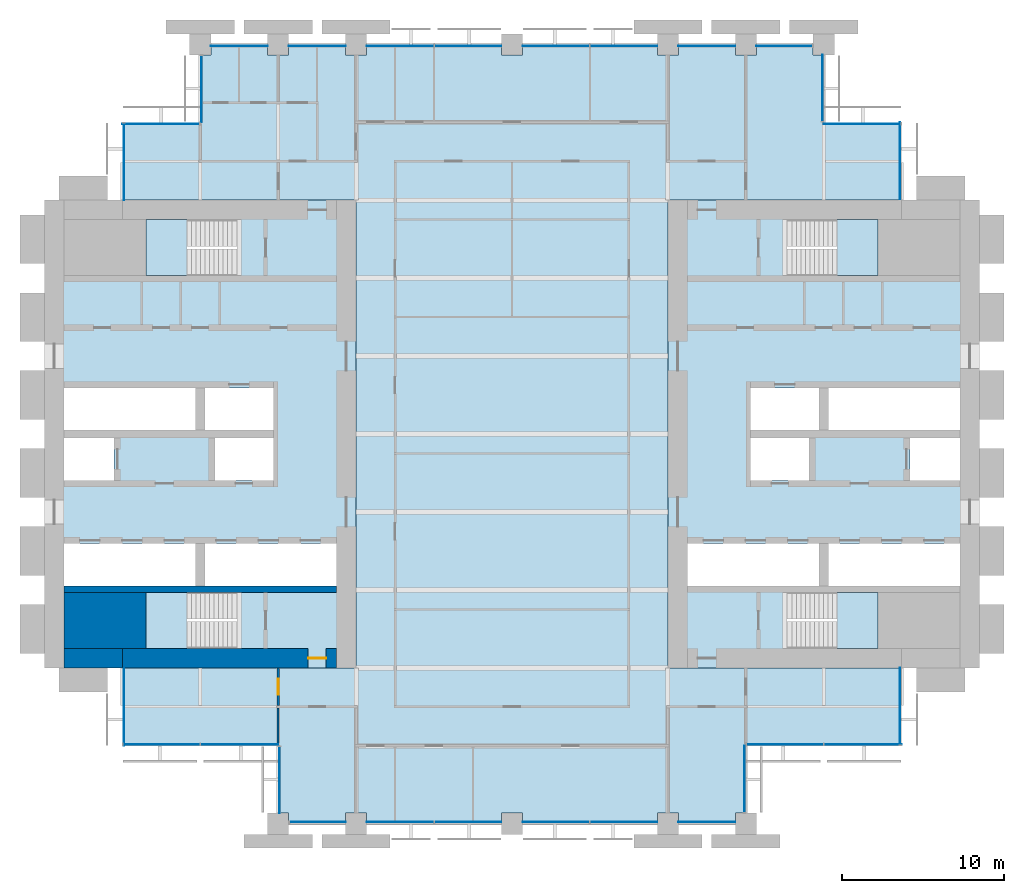
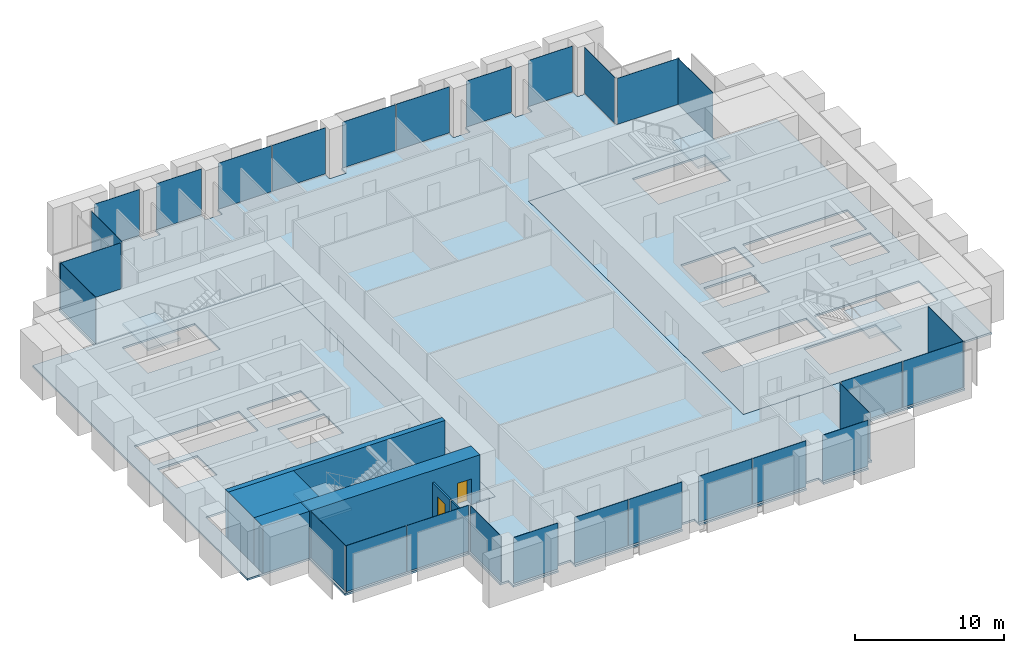
# One storey, part 8 of 14: 28 plates, 7 slabs, 6 walls, 2 doors, 2 openings, 18 elements without a shape of their own.
"""IFC4 building model written with IfcOpenShell, lengths in metres."""

from ifc_helpers import new_model, si_unit, direction, frame, frame_2d, origin, origin_2d, place, context, subcontext, project, spatial, polyline, rectangle, outline, extrude, material, layer, layer_set, type_object, element, fill, aggregate, save


model = new_model("IFC4")

# Units and contexts
model_context = context("Model", 3, precision=1e-05, world=origin(), true_north=direction((0.0, 1.0)))
body_context = subcontext(model_context, "Body", "Model", "MODEL_VIEW")
ifc_project = project(units=[si_unit("LENGTHUNIT", "METRE"), si_unit("AREAUNIT", "SQUARE_METRE"), si_unit("VOLUMEUNIT", "CUBIC_METRE"), si_unit("PLANEANGLEUNIT", "RADIAN"), si_unit("MASSUNIT", "GRAM", prefix="KILO")], contexts=[model_context])

# Site, building, storey
site_placement = place(None, origin())
site = spatial("IfcSite", under=ifc_project, at=site_placement, CompositionType="ELEMENT")
building_placement = place(site_placement, origin())
building = spatial("IfcBuilding", under=site, at=building_placement, Name="Baori Bourse Tower", CompositionType="ELEMENT")
storey_placement = place(building_placement, frame((0.0, 0.0, 67.0)))
storey = spatial("IfcBuildingStorey", under=building, at=storey_placement, Name="L14", CompositionType="ELEMENT", Elevation=67.0)

# Curtain wall, plates
ifc_material_1 = material(Name="Pale anodised aluminium", Category="aluminium")
curtain_wall_type_1 = type_object("IfcCurtainWallType", Name="CW1 Curtain wall", PredefinedType="NOTDEFINED", material=ifc_material_1)
curtain_wall_1_placement = place(storey_placement, origin())
curtain_wall_1 = element("IfcCurtainWall", 1, at=curtain_wall_1_placement, inside=storey, type_object=curtain_wall_type_1, Name="Curtain wall CW1 L14 4", PredefinedType="NOTDEFINED")
ifc_material_2 = material(Name="Clear glass", Category="glass")
ifc_layer_1 = layer(ifc_material_2, 0.033935546875)
ifc_layer_set_1 = layer_set([ifc_layer_1], Name="CW1 Curtain wall panel")
plate_type_1 = type_object("IfcPlateType", Name="CW1 Curtain wall panel", PredefinedType="CURTAIN_PANEL", material=ifc_layer_set_1)
plate_1_placement = place(storey_placement, frame((45.570068359375, 47.89990234375, 0.080078125), z_axis=(0.0, 0.0, 1.0), x_axis=(-1.0, 0.0, 0.0)))
plate_1 = element("IfcPlate", 2, at=plate_1_placement, type_object=plate_type_1, Name="Curtain wall CW1 panel", PredefinedType="CURTAIN_PANEL", context=body_context, shape_type="SweptSolid", body=[
    extrude(rectangle(XDim=3.43994140625, YDim=0.033935546875, at=origin_2d()), origin(), (0.0, 0.0, 1.0), 3.760009765625),
])
plate_2_placement = place(storey_placement, frame((40.800048828125, 47.89990234375, 0.080078125), z_axis=(0.0, 0.0, 1.0), x_axis=(-1.0, 0.0, 0.0)))
plate_2 = element("IfcPlate", 3, at=plate_2_placement, type_object=plate_type_1, Name="Curtain wall CW1 panel", PredefinedType="CURTAIN_PANEL", context=body_context, shape_type="SweptSolid", body=[
    extrude(rectangle(XDim=3.5, YDim=0.033935546875, at=origin_2d()), origin(), (0.0, 0.0, 1.0), 3.760009765625),
])
plate_3_placement = place(storey_placement, frame((35.68994140625, 47.89990234375, 0.080078125), z_axis=(0.0, 0.0, 1.0), x_axis=(-1.0, 0.0, 0.0)))
plate_3 = element("IfcPlate", 4, at=plate_3_placement, type_object=plate_type_1, Name="Curtain wall CW1 panel", PredefinedType="CURTAIN_PANEL", context=body_context, shape_type="SweptSolid", body=[
    extrude(rectangle(XDim=4.1201171875, YDim=0.033935546875, at=origin_2d()), origin(), (0.0, 0.0, 1.0), 3.760009765625),
])
plate_4_placement = place(storey_placement, frame((31.510009765625, 47.89990234375, 0.080078125), z_axis=(0.0, 0.0, 1.0), x_axis=(-1.0, 0.0, 0.0)))
plate_4 = element("IfcPlate", 5, at=plate_4_placement, type_object=plate_type_1, Name="Curtain wall CW1 panel", PredefinedType="CURTAIN_PANEL", context=body_context, shape_type="SweptSolid", body=[
    extrude(rectangle(XDim=4.1201171875, YDim=0.033935546875, at=origin_2d()), origin(), (0.0, 0.0, 1.0), 3.760009765625),
])
plate_5_placement = place(storey_placement, frame((26.090087890625, 47.89990234375, 0.080078125), z_axis=(0.0, 0.0, 1.0), x_axis=(-1.0, 0.0, 0.0)))
plate_5 = element("IfcPlate", 6, at=plate_5_placement, type_object=plate_type_1, Name="Curtain wall CW1 panel", PredefinedType="CURTAIN_PANEL", context=body_context, shape_type="SweptSolid", body=[
    extrude(rectangle(XDim=4.1201171875, YDim=0.033935546875, at=origin_2d()), origin(), (0.0, 0.0, 1.0), 3.760009765625),
])
plate_6_placement = place(storey_placement, frame((21.909912109375, 47.89990234375, 0.080078125), z_axis=(0.0, 0.0, 1.0), x_axis=(-1.0, 0.0, 0.0)))
plate_6 = element("IfcPlate", 7, at=plate_6_placement, type_object=plate_type_1, Name="Curtain wall CW1 panel", PredefinedType="CURTAIN_PANEL", context=body_context, shape_type="SweptSolid", body=[
    extrude(rectangle(XDim=4.1201171875, YDim=0.033935546875, at=origin_2d()), origin(), (0.0, 0.0, 1.0), 3.760009765625),
])
plate_7_placement = place(storey_placement, frame((16.800048828125, 47.89990234375, 0.080078125), z_axis=(0.0, 0.0, 1.0), x_axis=(-1.0, 0.0, 0.0)))
plate_7 = element("IfcPlate", 8, at=plate_7_placement, type_object=plate_type_1, Name="Curtain wall CW1 panel", PredefinedType="CURTAIN_PANEL", context=body_context, shape_type="SweptSolid", body=[
    extrude(rectangle(XDim=3.5, YDim=0.033935546875, at=origin_2d()), origin(), (0.0, 0.0, 1.0), 3.760009765625),
])
plate_8_placement = place(storey_placement, frame((12.0, 47.89990234375, 0.080078125), z_axis=(0.0, 0.0, 1.0), x_axis=(-1.0, 0.0, 0.0)))
plate_8 = element("IfcPlate", 9, at=plate_8_placement, type_object=plate_type_1, Name="Curtain wall CW1 panel", PredefinedType="CURTAIN_PANEL", context=body_context, shape_type="SweptSolid", body=[
    extrude(rectangle(XDim=3.5, YDim=0.033935546875, at=origin_2d()), origin(), (0.0, 0.0, 1.0), 3.760009765625),
])
aggregate(curtain_wall_1, [plate_1, plate_2, plate_3, plate_4, plate_5, plate_6, plate_7, plate_8])

curtain_wall_2_placement = place(storey_placement, origin())
curtain_wall_2 = element("IfcCurtainWall", 10, at=curtain_wall_2_placement, inside=storey, type_object=curtain_wall_type_1, Name="Curtain wall CW1 L14 11", PredefinedType="NOTDEFINED")
plate_9_placement = place(storey_placement, frame((16.830078125, 0.10009765625, 0.080078125), z_axis=(0.0, 0.0, 1.0), x_axis=(1.0, 0.0, 0.0)))
plate_9 = element("IfcPlate", 11, at=plate_9_placement, type_object=plate_type_1, Name="Curtain wall CW1 panel", PredefinedType="CURTAIN_PANEL", context=body_context, shape_type="SweptSolid", body=[
    extrude(rectangle(XDim=3.43994140625, YDim=0.033935546875, at=origin_2d()), origin(), (0.0, 0.0, 1.0), 3.760009765625),
])
plate_10_placement = place(storey_placement, frame((21.909912109375, 0.10009765625, 0.080078125), z_axis=(0.0, 0.0, 1.0), x_axis=(1.0, 0.0, 0.0)))
plate_10 = element("IfcPlate", 12, at=plate_10_placement, type_object=plate_type_1, Name="Curtain wall CW1 panel", PredefinedType="CURTAIN_PANEL", context=body_context, shape_type="SweptSolid", body=[
    extrude(rectangle(XDim=4.1201171875, YDim=0.033935546875, at=origin_2d()), origin(), (0.0, 0.0, 1.0), 3.760009765625),
])
plate_11_placement = place(storey_placement, frame((26.090087890625, 0.10009765625, 0.080078125), z_axis=(0.0, 0.0, 1.0), x_axis=(1.0, 0.0, 0.0)))
plate_11 = element("IfcPlate", 13, at=plate_11_placement, type_object=plate_type_1, Name="Curtain wall CW1 panel", PredefinedType="CURTAIN_PANEL", context=body_context, shape_type="SweptSolid", body=[
    extrude(rectangle(XDim=4.1201171875, YDim=0.033935546875, at=origin_2d()), origin(), (0.0, 0.0, 1.0), 3.760009765625),
])
plate_12_placement = place(storey_placement, frame((31.510009765625, 0.10009765625, 0.080078125), z_axis=(0.0, 0.0, 1.0), x_axis=(1.0, 0.0, 0.0)))
plate_12 = element("IfcPlate", 14, at=plate_12_placement, type_object=plate_type_1, Name="Curtain wall CW1 panel", PredefinedType="CURTAIN_PANEL", context=body_context, shape_type="SweptSolid", body=[
    extrude(rectangle(XDim=4.1201171875, YDim=0.033935546875, at=origin_2d()), origin(), (0.0, 0.0, 1.0), 3.760009765625),
])
plate_13_placement = place(storey_placement, frame((35.68994140625, 0.10009765625, 0.080078125), z_axis=(0.0, 0.0, 1.0), x_axis=(1.0, 0.0, 0.0)))
plate_13 = element("IfcPlate", 15, at=plate_13_placement, type_object=plate_type_1, Name="Curtain wall CW1 panel", PredefinedType="CURTAIN_PANEL", context=body_context, shape_type="SweptSolid", body=[
    extrude(rectangle(XDim=4.1201171875, YDim=0.033935546875, at=origin_2d()), origin(), (0.0, 0.0, 1.0), 3.760009765625),
])
plate_14_placement = place(storey_placement, frame((40.800048828125, 0.10009765625, 0.080078125), z_axis=(0.0, 0.0, 1.0), x_axis=(1.0, 0.0, 0.0)))
plate_14 = element("IfcPlate", 16, at=plate_14_placement, type_object=plate_type_1, Name="Curtain wall CW1 panel", PredefinedType="CURTAIN_PANEL", context=body_context, shape_type="SweptSolid", body=[
    extrude(rectangle(XDim=3.5, YDim=0.033935546875, at=origin_2d()), origin(), (0.0, 0.0, 1.0), 3.760009765625),
])
aggregate(curtain_wall_2, [plate_9, plate_10, plate_11, plate_12, plate_13, plate_14])

# Curtain wall, plate
ifc_material_3 = material(Name="Pale anodised aluminium", Category="aluminium")
curtain_wall_type_2 = type_object("IfcCurtainWallType", Name="CW2 Curtain wall", PredefinedType="NOTDEFINED", material=ifc_material_3)
curtain_wall_3_placement = place(storey_placement, origin())
curtain_wall_3 = element("IfcCurtainWall", 17, at=curtain_wall_3_placement, inside=storey, type_object=curtain_wall_type_2, Name="Curtain wall CW2 L14 1", PredefinedType="NOTDEFINED")
ifc_material_4 = material(Name="Clear glass", Category="glass")
ifc_layer_2 = layer(ifc_material_4, 0.030029296875)
ifc_layer_set_2 = layer_set([ifc_layer_2], Name="CW2 Curtain wall panel")
plate_type_2 = type_object("IfcPlateType", Name="CW2 Curtain wall panel", PredefinedType="CURTAIN_PANEL", material=ifc_layer_set_2)
plate_15_placement = place(storey_placement, frame((52.7099609375, 40.827392578125, 0.070068359375), z_axis=(0.0, 0.0, 1.0), x_axis=(0.0, 1.0, 0.0)))
plate_15 = element("IfcPlate", 18, at=plate_15_placement, type_object=plate_type_2, Name="Curtain wall CW2 panel", PredefinedType="CURTAIN_PANEL", context=body_context, shape_type="SweptSolid", body=[
    extrude(rectangle(XDim=4.7451171875, YDim=0.030029296875, at=origin_2d()), origin(), (0.0, 0.0, 1.0), 3.77001953125),
])
aggregate(curtain_wall_3, [plate_15])

curtain_wall_4_placement = place(storey_placement, origin())
curtain_wall_4 = element("IfcCurtainWall", 19, at=curtain_wall_4_placement, inside=storey, type_object=curtain_wall_type_2, Name="Curtain wall CW2 L14 2", PredefinedType="NOTDEFINED")
plate_16_placement = place(storey_placement, frame((50.37255859375, 43.110107421875, 0.070068359375), z_axis=(0.0, 0.0, 1.0), x_axis=(-1.0, 0.0, 0.0)))
plate_16 = element("IfcPlate", 20, at=plate_16_placement, type_object=plate_type_2, Name="Curtain wall CW2 panel", PredefinedType="CURTAIN_PANEL", context=body_context, shape_type="SweptSolid", body=[
    extrude(rectangle(XDim=4.7451171875, YDim=0.030029296875, at=origin_2d()), origin(), (0.0, 0.0, 1.0), 3.77001953125),
])
aggregate(curtain_wall_4, [plate_16])

curtain_wall_5_placement = place(storey_placement, origin())
curtain_wall_5 = element("IfcCurtainWall", 21, at=curtain_wall_5_placement, inside=storey, type_object=curtain_wall_type_2, Name="Curtain wall CW2 L14 3", PredefinedType="NOTDEFINED")
plate_17_placement = place(storey_placement, frame((47.909912109375, 45.302490234375, 0.070068359375), z_axis=(0.0, 0.0, 1.0), x_axis=(0.0, 1.0, 0.0)))
plate_17 = element("IfcPlate", 22, at=plate_17_placement, type_object=plate_type_2, Name="Curtain wall CW2 panel", PredefinedType="CURTAIN_PANEL", context=body_context, shape_type="SweptSolid", body=[
    extrude(rectangle(XDim=4.094970703125, YDim=0.030029296875, at=origin_2d()), origin(), (0.0, 0.0, 1.0), 3.77001953125),
])
aggregate(curtain_wall_5, [plate_17])

curtain_wall_6_placement = place(storey_placement, origin())
curtain_wall_6 = element("IfcCurtainWall", 23, at=curtain_wall_6_placement, inside=storey, type_object=curtain_wall_type_2, Name="Curtain wall CW2 L14 5", PredefinedType="NOTDEFINED")
plate_18_placement = place(storey_placement, frame((9.68994140625, 45.24755859375, 0.070068359375), z_axis=(0.0, 0.0, 1.0), x_axis=(0.0, -1.0, 0.0)))
plate_18 = element("IfcPlate", 24, at=plate_18_placement, type_object=plate_type_2, Name="Curtain wall CW2 panel", PredefinedType="CURTAIN_PANEL", context=body_context, shape_type="SweptSolid", body=[
    extrude(rectangle(XDim=4.094970703125, YDim=0.030029296875, at=origin_2d()), origin(), (0.0, 0.0, 1.0), 3.77001953125),
])
aggregate(curtain_wall_6, [plate_18])

curtain_wall_7_placement = place(storey_placement, origin())
curtain_wall_7 = element("IfcCurtainWall", 25, at=curtain_wall_7_placement, inside=storey, type_object=curtain_wall_type_2, Name="Curtain wall CW2 L14 6", PredefinedType="NOTDEFINED")
plate_19_placement = place(storey_placement, frame((7.172607421875, 43.110107421875, 0.070068359375), z_axis=(0.0, 0.0, 1.0), x_axis=(-1.0, 0.0, 0.0)))
plate_19 = element("IfcPlate", 26, at=plate_19_placement, type_object=plate_type_2, Name="Curtain wall CW2 panel", PredefinedType="CURTAIN_PANEL", context=body_context, shape_type="SweptSolid", body=[
    extrude(rectangle(XDim=4.7451171875, YDim=0.030029296875, at=origin_2d()), origin(), (0.0, 0.0, 1.0), 3.77001953125),
])
aggregate(curtain_wall_7, [plate_19])

curtain_wall_8_placement = place(storey_placement, origin())
curtain_wall_8 = element("IfcCurtainWall", 27, at=curtain_wall_8_placement, inside=storey, type_object=curtain_wall_type_2, Name="Curtain wall CW2 L14 7", PredefinedType="NOTDEFINED")
plate_20_placement = place(storey_placement, frame((4.889892578125, 40.7724609375, 0.070068359375), z_axis=(0.0, 0.0, 1.0), x_axis=(0.0, -1.0, 0.0)))
plate_20 = element("IfcPlate", 28, at=plate_20_placement, type_object=plate_type_2, Name="Curtain wall CW2 panel", PredefinedType="CURTAIN_PANEL", context=body_context, shape_type="SweptSolid", body=[
    extrude(rectangle(XDim=4.7451171875, YDim=0.030029296875, at=origin_2d()), origin(), (0.0, 0.0, 1.0), 3.77001953125),
])
aggregate(curtain_wall_8, [plate_20])

curtain_wall_9_placement = place(storey_placement, origin())
curtain_wall_9 = element("IfcCurtainWall", 29, at=curtain_wall_9_placement, inside=storey, type_object=curtain_wall_type_2, Name="Curtain wall CW2 L14 8", PredefinedType="NOTDEFINED")
plate_21_placement = place(storey_placement, frame((4.889892578125, 7.172607421875, 0.070068359375), z_axis=(0.0, 0.0, 1.0), x_axis=(0.0, -1.0, 0.0)))
plate_21 = element("IfcPlate", 30, at=plate_21_placement, type_object=plate_type_2, Name="Curtain wall CW2 panel", PredefinedType="CURTAIN_PANEL", context=body_context, shape_type="SweptSolid", body=[
    extrude(rectangle(XDim=4.7451171875, YDim=0.030029296875, at=origin_2d()), origin(), (0.0, 0.0, 1.0), 3.77001953125),
])
aggregate(curtain_wall_9, [plate_21])

# Curtain wall, plates
curtain_wall_10_placement = place(storey_placement, origin())
curtain_wall_10 = element("IfcCurtainWall", 31, at=curtain_wall_10_placement, inside=storey, type_object=curtain_wall_type_2, Name="Curtain wall CW2 L14 9", PredefinedType="NOTDEFINED")
plate_22_placement = place(storey_placement, frame((7.2138671875, 4.889892578125, 0.070068359375), z_axis=(0.0, 0.0, 1.0), x_axis=(1.0, 0.0, 0.0)))
plate_22 = element("IfcPlate", 32, at=plate_22_placement, type_object=plate_type_2, Name="Curtain wall CW2 panel", PredefinedType="CURTAIN_PANEL", context=body_context, shape_type="SweptSolid", body=[
    extrude(rectangle(XDim=4.717529296875, YDim=0.030029296875, at=origin_2d()), origin(), (0.0, 0.0, 1.0), 3.77001953125),
])
plate_23_placement = place(storey_placement, frame((12.013671875, 4.889892578125, 0.070068359375), z_axis=(0.0, 0.0, 1.0), x_axis=(1.0, 0.0, 0.0)))
plate_23 = element("IfcPlate", 33, at=plate_23_placement, type_object=plate_type_2, Name="Curtain wall CW2 panel", PredefinedType="CURTAIN_PANEL", context=body_context, shape_type="SweptSolid", body=[
    extrude(rectangle(XDim=4.7724609375, YDim=0.030029296875, at=origin_2d()), origin(), (0.0, 0.0, 1.0), 3.77001953125),
])
aggregate(curtain_wall_10, [plate_22, plate_23])

# Curtain wall, plate
curtain_wall_11_placement = place(storey_placement, origin())
curtain_wall_11 = element("IfcCurtainWall", 34, at=curtain_wall_11_placement, inside=storey, type_object=curtain_wall_type_2, Name="Curtain wall CW2 L14 10", PredefinedType="NOTDEFINED")
plate_24_placement = place(storey_placement, frame((14.489990234375, 2.697509765625, 0.070068359375), z_axis=(0.0, 0.0, 1.0), x_axis=(0.0, -1.0, 0.0)))
plate_24 = element("IfcPlate", 35, at=plate_24_placement, type_object=plate_type_2, Name="Curtain wall CW2 panel", PredefinedType="CURTAIN_PANEL", context=body_context, shape_type="SweptSolid", body=[
    extrude(rectangle(XDim=4.094970703125, YDim=0.030029296875, at=origin_2d()), origin(), (0.0, 0.0, 1.0), 3.77001953125),
])
aggregate(curtain_wall_11, [plate_24])

curtain_wall_12_placement = place(storey_placement, origin())
curtain_wall_12 = element("IfcCurtainWall", 36, at=curtain_wall_12_placement, inside=storey, type_object=curtain_wall_type_2, Name="Curtain wall CW2 L14 12", PredefinedType="NOTDEFINED")
plate_25_placement = place(storey_placement, frame((43.110107421875, 2.75244140625, 0.070068359375), z_axis=(0.0, 0.0, 1.0), x_axis=(0.0, 1.0, 0.0)))
plate_25 = element("IfcPlate", 37, at=plate_25_placement, type_object=plate_type_2, Name="Curtain wall CW2 panel", PredefinedType="CURTAIN_PANEL", context=body_context, shape_type="SweptSolid", body=[
    extrude(rectangle(XDim=4.094970703125, YDim=0.030029296875, at=origin_2d()), origin(), (0.0, 0.0, 1.0), 3.77001953125),
])
aggregate(curtain_wall_12, [plate_25])

# Curtain wall, plates
curtain_wall_13_placement = place(storey_placement, origin())
curtain_wall_13 = element("IfcCurtainWall", 38, at=curtain_wall_13_placement, inside=storey, type_object=curtain_wall_type_2, Name="Curtain wall CW2 L14 13", PredefinedType="NOTDEFINED")
plate_26_placement = place(storey_placement, frame((45.61376953125, 4.889892578125, 0.070068359375), z_axis=(0.0, 0.0, 1.0), x_axis=(1.0, 0.0, 0.0)))
plate_26 = element("IfcPlate", 39, at=plate_26_placement, type_object=plate_type_2, Name="Curtain wall CW2 panel", PredefinedType="CURTAIN_PANEL", context=body_context, shape_type="SweptSolid", body=[
    extrude(rectangle(XDim=4.717529296875, YDim=0.030029296875, at=origin_2d()), origin(), (0.0, 0.0, 1.0), 3.77001953125),
])
plate_27_placement = place(storey_placement, frame((50.413818359375, 4.889892578125, 0.070068359375), z_axis=(0.0, 0.0, 1.0), x_axis=(1.0, 0.0, 0.0)))
plate_27 = element("IfcPlate", 40, at=plate_27_placement, type_object=plate_type_2, Name="Curtain wall CW2 panel", PredefinedType="CURTAIN_PANEL", context=body_context, shape_type="SweptSolid", body=[
    extrude(rectangle(XDim=4.7724609375, YDim=0.030029296875, at=origin_2d()), origin(), (0.0, 0.0, 1.0), 3.77001953125),
])
aggregate(curtain_wall_13, [plate_26, plate_27])

# Curtain wall, plate
curtain_wall_14_placement = place(storey_placement, origin())
curtain_wall_14 = element("IfcCurtainWall", 41, at=curtain_wall_14_placement, inside=storey, type_object=curtain_wall_type_2, Name="Curtain wall CW2 L14 14", PredefinedType="NOTDEFINED")
plate_28_placement = place(storey_placement, frame((52.7099609375, 7.2275390625, 0.070068359375), z_axis=(0.0, 0.0, 1.0), x_axis=(0.0, 1.0, 0.0)))
plate_28 = element("IfcPlate", 42, at=plate_28_placement, type_object=plate_type_2, Name="Curtain wall CW2 panel", PredefinedType="CURTAIN_PANEL", context=body_context, shape_type="SweptSolid", body=[
    extrude(rectangle(XDim=4.7451171875, YDim=0.030029296875, at=origin_2d()), origin(), (0.0, 0.0, 1.0), 3.77001953125),
])
aggregate(curtain_wall_14, [plate_28])

# Slabs
ifc_material_5 = material(Name="Concrete f'c 50 MPa", Category="concrete")
ifc_layer_3 = layer(ifc_material_5, 0.159912109375)
ifc_layer_set_3 = layer_set([ifc_layer_3], Name="Core slab 160")
slab_type_1 = type_object("IfcSlabType", Name="Core slab 160", PredefinedType="FLOOR", material=ifc_layer_set_3)
slab_1_placement = place(storey_placement, frame((0.0, 0.0, -0.159912109375)))
element("IfcSlab", 43, at=slab_1_placement, inside=storey, type_object=slab_type_1, Name="Core floor slab W01", PredefinedType="FLOOR", context=body_context, shape_type="SweptSolid", body=[
    extrude(outline(polyline([(19.199951171875, 9.60009765625), (19.199951171875, 38.39990234375), (0.0, 38.39990234375), (0.0, 9.60009765625), (19.199951171875, 9.60009765625)]), holes=[polyline([(9.89990234375, 14.64990234375), (9.89990234375, 17.25), (18.0, 17.25), (18.0, 14.64990234375), (9.89990234375, 14.64990234375)]), polyline([(10.5, 21.14990234375), (10.5, 23.75), (14.10009765625, 23.75), (14.10009765625, 21.14990234375), (10.5, 21.14990234375)]), polyline([(14.10009765625, 24.25), (9.89990234375, 24.25), (9.89990234375, 26.85009765625), (14.10009765625, 26.85009765625), (14.10009765625, 24.25)]), polyline([(6.25, 14.25), (11.84912109375, 14.25), (11.84912109375, 10.800048828125), (6.25, 10.800048828125), (6.25, 14.25)]), polyline([(11.84912109375, 37.199951171875), (11.84912109375, 33.75), (6.25, 33.75), (6.25, 37.199951171875), (11.84912109375, 37.199951171875)]), polyline([(1.199951171875, 26.85009765625), (9.300048828125, 26.85009765625), (9.300048828125, 24.25), (1.199951171875, 24.25), (1.199951171875, 26.85009765625)]), polyline([(9.300048828125, 14.64990234375), (1.199951171875, 14.64990234375), (1.199951171875, 17.25), (9.300048828125, 17.25), (9.300048828125, 14.64990234375)]), polyline([(4.300048828125, 23.75), (4.300048828125, 21.14990234375), (1.199951171875, 21.14990234375), (1.199951171875, 23.75), (4.300048828125, 23.75)])]), origin(), (0.0, 0.0, 1.0), 0.159912109375),
])
slab_2_placement = place(storey_placement, frame((0.0, 0.0, -0.159912109375)))
element("IfcSlab", 44, at=slab_2_placement, inside=storey, type_object=slab_type_1, Name="Core floor slab E01", PredefinedType="FLOOR", context=body_context, shape_type="SweptSolid", body=[
    extrude(outline(polyline([(38.39990234375, 9.60009765625), (57.60009765625, 9.60009765625), (57.60009765625, 38.39990234375), (38.39990234375, 38.39990234375), (38.39990234375, 9.60009765625)]), holes=[polyline([(48.300048828125, 14.64990234375), (48.300048828125, 17.25), (56.39990234375, 17.25), (56.39990234375, 14.64990234375), (48.300048828125, 14.64990234375)]), polyline([(56.39990234375, 21.14990234375), (53.300048828125, 21.14990234375), (53.300048828125, 23.75), (56.39990234375, 23.75), (56.39990234375, 21.14990234375)]), polyline([(56.39990234375, 26.85009765625), (56.39990234375, 24.25), (48.300048828125, 24.25), (48.300048828125, 26.85009765625), (56.39990234375, 26.85009765625)]), polyline([(45.750732421875, 14.25), (51.35009765625, 14.25), (51.35009765625, 10.800048828125), (45.750732421875, 10.800048828125), (45.750732421875, 14.25)]), polyline([(51.35009765625, 37.199951171875), (51.35009765625, 33.75), (45.750732421875, 33.75), (45.750732421875, 37.199951171875), (51.35009765625, 37.199951171875)]), polyline([(39.60009765625, 17.25), (47.699951171875, 17.25), (47.699951171875, 14.64990234375), (39.60009765625, 14.64990234375), (39.60009765625, 17.25)]), polyline([(43.5, 24.25), (43.5, 26.85009765625), (47.699951171875, 26.85009765625), (47.699951171875, 24.25), (43.5, 24.25)]), polyline([(43.5, 23.75), (47.10009765625, 23.75), (47.10009765625, 21.14990234375), (43.5, 21.14990234375), (43.5, 23.75)])]), origin(), (0.0, 0.0, 1.0), 0.159912109375),
])

# Stair, slab
ifc_material_6 = material(Name="Concrete f'c 50 MPa", Category="concrete")
stair_type = type_object("IfcStairType", Name="Core stair", PredefinedType="HALF_TURN_STAIR", material=ifc_material_6)
stair_1_placement = place(storey_placement, origin())
stair_1 = element("IfcStair", 45, at=stair_1_placement, inside=storey, type_object=stair_type, Name="L14 Stair WA", PredefinedType="HALF_TURN_STAIR")
ifc_material_7 = material(Name="Concrete f'c 50 MPa", Category="concrete")
slab_type_2 = type_object("IfcSlabType", Name="Core stair landing", PredefinedType="LANDING", material=ifc_material_7)
slab_3_placement = place(storey_placement, frame((0.0, 0.0, 1.800048828125)))
slab_3 = element("IfcSlab", 46, at=slab_3_placement, type_object=slab_type_2, Name="ST1 landing 1", PredefinedType="LANDING", context=body_context, shape_type="SweptSolid", body=[
    extrude(outline(polyline([(8.77001953125, 14.25), (6.25, 14.25), (6.25, 10.800048828125), (8.77001953125, 10.800048828125), (8.77001953125, 14.25)])), origin(), (0.0, 0.0, 1.0), 0.199951171875),
])
aggregate(stair_1, [slab_3])

stair_2_placement = place(storey_placement, origin())
stair_2 = element("IfcStair", 47, at=stair_2_placement, inside=storey, type_object=stair_type, Name="L14 Stair WB", PredefinedType="HALF_TURN_STAIR")
slab_4_placement = place(storey_placement, frame((0.0, 0.0, 1.800048828125)))
slab_4 = element("IfcSlab", 48, at=slab_4_placement, type_object=slab_type_2, Name="ST2 landing 1", PredefinedType="LANDING", context=body_context, shape_type="SweptSolid", body=[
    extrude(outline(polyline([(8.77001953125, 37.199951171875), (6.25, 37.199951171875), (6.25, 33.75), (8.77001953125, 33.75), (8.77001953125, 37.199951171875)])), origin(), (0.0, 0.0, 1.0), 0.199951171875),
])
aggregate(stair_2, [slab_4])

stair_3_placement = place(storey_placement, origin())
stair_3 = element("IfcStair", 49, at=stair_3_placement, inside=storey, type_object=stair_type, Name="L14 Stair EA", PredefinedType="HALF_TURN_STAIR")
slab_5_placement = place(storey_placement, frame((0.0, 0.0, 1.800048828125)))
slab_5 = element("IfcSlab", 50, at=slab_5_placement, type_object=slab_type_2, Name="ST3 landing 1", PredefinedType="LANDING", context=body_context, shape_type="SweptSolid", body=[
    extrude(outline(polyline([(48.830078125, 10.800048828125), (51.35009765625, 10.800048828125), (51.35009765625, 14.25), (48.830078125, 14.25), (48.830078125, 10.800048828125)])), origin(), (0.0, 0.0, 1.0), 0.199951171875),
])
aggregate(stair_3, [slab_5])

stair_4_placement = place(storey_placement, origin())
stair_4 = element("IfcStair", 51, at=stair_4_placement, inside=storey, type_object=stair_type, Name="L14 Stair EB", PredefinedType="HALF_TURN_STAIR")
slab_6_placement = place(storey_placement, frame((0.0, 0.0, 1.800048828125)))
slab_6 = element("IfcSlab", 52, at=slab_6_placement, type_object=slab_type_2, Name="ST4 landing 1", PredefinedType="LANDING", context=body_context, shape_type="SweptSolid", body=[
    extrude(outline(polyline([(48.830078125, 33.75), (51.35009765625, 33.75), (51.35009765625, 37.199951171875), (48.830078125, 37.199951171875), (48.830078125, 33.75)])), origin(), (0.0, 0.0, 1.0), 0.199951171875),
])
aggregate(stair_4, [slab_6])

# Slab
ifc_material_8 = material(Name="Concrete f'c 40 MPa", Category="concrete")
ifc_layer_4 = layer(ifc_material_8, 0.159912109375)
ifc_layer_set_4 = layer_set([ifc_layer_4], Name="Floor slab 160")
slab_type_3 = type_object("IfcSlabType", Name="Floor slab 160", PredefinedType="FLOOR", material=ifc_layer_set_4)
slab_7_placement = place(storey_placement, frame((0.0, 0.0, -0.159912109375)))
element("IfcSlab", 53, at=slab_7_placement, inside=storey, type_object=slab_type_3, Name="Floor slab L14", PredefinedType="FLOOR", context=body_context, shape_type="SweptSolid", body=[
    extrude(outline(polyline([(14.39990234375, 4.800048828125), (4.800048828125, 4.800048828125), (4.800048828125, 9.60009765625), (19.199951171875, 9.60009765625), (19.199951171875, 38.39990234375), (4.800048828125, 38.39990234375), (4.800048828125, 43.199951171875), (9.60009765625, 43.199951171875), (9.60009765625, 47.35009765625), (10.25, 47.35009765625), (10.25, 48.0), (13.75, 48.0), (13.75, 47.35009765625), (15.050048828125, 47.35009765625), (15.050048828125, 48.0), (18.550048828125, 48.0), (18.550048828125, 47.35009765625), (19.85009765625, 47.35009765625), (19.85009765625, 48.0), (28.14990234375, 48.0), (28.14990234375, 47.35009765625), (29.449951171875, 47.35009765625), (29.449951171875, 48.0), (37.75, 48.0), (37.75, 47.35009765625), (39.050048828125, 47.35009765625), (39.050048828125, 48.0), (42.550048828125, 48.0), (42.550048828125, 47.35009765625), (43.85009765625, 47.35009765625), (43.85009765625, 48.0), (47.35009765625, 48.0), (47.35009765625, 47.35009765625), (48.0, 47.35009765625), (48.0, 43.199951171875), (52.800048828125, 43.199951171875), (52.800048828125, 38.39990234375), (38.39990234375, 38.39990234375), (38.39990234375, 9.60009765625), (52.800048828125, 9.60009765625), (52.800048828125, 4.800048828125), (43.199951171875, 4.800048828125), (43.199951171875, 0.64990234375), (42.550048828125, 0.64990234375), (42.550048828125, 0.0), (39.050048828125, 0.0), (39.050048828125, 0.64990234375), (37.75, 0.64990234375), (37.75, 0.0), (29.449951171875, 0.0), (29.449951171875, 0.64990234375), (28.14990234375, 0.64990234375), (28.14990234375, 0.0), (19.85009765625, 0.0), (19.85009765625, 0.64990234375), (18.550048828125, 0.64990234375), (18.550048828125, 0.0), (15.050048828125, 0.0), (15.050048828125, 0.64990234375), (14.39990234375, 0.64990234375), (14.39990234375, 4.800048828125)])), origin(), (0.0, 0.0, 1.0), 0.159912109375),
])

# Walls
ifc_material_9 = material(Name="Concrete f'c 70 MPa", Category="concrete")
wall_type_1 = type_object("IfcWallType", Name="Core corner block f'c 70", PredefinedType="SHEAR", material=ifc_material_9)
wall_1_placement = place(storey_placement, frame((1.199951171875, 12.52490234375, 0.0), z_axis=(0.0, 0.0, 1.0), x_axis=(1.0, 0.0, 0.0)))
element("IfcWall", 54, at=wall_1_placement, inside=storey, type_object=wall_type_1, Name="Core wall W05", PredefinedType="SHEAR", context=body_context, shape_type="SweptSolid", body=[
    extrude(rectangle(XDim=5.050048828125, YDim=3.449951171875, at=frame_2d((2.52490234375, 0.0))), origin(), (0.0, 0.0, 1.0), 3.840087890625),
])
ifc_material_10 = material(Name="Concrete f'c 70 MPa", Category="concrete")
ifc_layer_5 = layer(ifc_material_10, 1.199951171875)
ifc_layer_set_5 = layer_set([ifc_layer_5], Name="Core wall 1200 f'c 70")
wall_type_2 = type_object("IfcWallType", Name="Core wall 1200 f'c 70", PredefinedType="SHEAR", material=ifc_layer_set_5)
wall_2_placement = place(storey_placement, frame((4.800048828125, 10.199951171875, 0.0), z_axis=(0.0, 0.0, 1.0), x_axis=(-1.0, 0.0, 0.0)))
element("IfcWall", 55, at=wall_2_placement, inside=storey, type_object=wall_type_2, Name="Core wall W02", PredefinedType="SHEAR", context=body_context, shape_type="SweptSolid", body=[
    extrude(rectangle(XDim=3.60009765625, YDim=1.199951171875, at=frame_2d((1.800048828125, 0.0))), origin(), (0.0, 0.0, 1.0), 3.840087890625),
])

# Wall, opening, door
wall_3_placement = place(storey_placement, frame((18.0, 10.199951171875, 0.0), z_axis=(0.0, 0.0, 1.0), x_axis=(-1.0, 0.0, 0.0)))
wall_3 = element("IfcWall", 56, at=wall_3_placement, inside=storey, type_object=wall_type_2, Name="Core wall W03", PredefinedType="SHEAR", context=body_context, shape_type="SweptSolid", body=[
    extrude(rectangle(XDim=13.199951171875, YDim=1.199951171875, at=frame_2d((6.60009765625, 0.0))), origin(), (0.0, 0.0, 1.0), 3.840087890625),
])
opening_1_placement = place(wall_3_placement, frame((0.64990234375, 0.0, 0.0)))
opening_1 = element("IfcOpeningElement", 57, at=opening_1_placement, cuts=wall_3, Name="Opening L14-D102", PredefinedType="OPENING", context=body_context, shape_type="SweptSolid", body=[
    extrude(rectangle(XDim=1.10009765625, YDim=2.10009765625, at=frame_2d((0.550048828125, 1.050048828125))), frame((0.0, 0.60986328125, 0.0), z_axis=(0.0, -1.0, 0.0), x_axis=(1.0, 0.0, 0.0)), (0.0, 0.0, 1.0), 1.219970703125),
])
ifc_material_11 = material(Name="Painted steel door", Category="steel")
door_type_1 = type_object("IfcDoorType", Name="Stair door 1100", OperationType="SINGLE_SWING_LEFT", PredefinedType="DOOR", material=ifc_material_11)
door_1_placement = place(opening_1_placement, origin())
door_1 = element("IfcDoor", 58, at=door_1_placement, inside=storey, type_object=door_type_1, Name="Stair vestibule door A W L14", OperationType="SINGLE_SWING_LEFT", OverallHeight=2.10009765625, OverallWidth=1.10009765625, PredefinedType="DOOR", context=body_context, shape_type="SweptSolid", body=[
    extrude(rectangle(XDim=1.10009765625, YDim=2.10009765625, at=frame_2d((0.550048828125, 1.050048828125))), frame((0.0, 0.02490234375, 0.0), z_axis=(0.0, -1.0, 0.0), x_axis=(1.0, 0.0, 0.0)), (0.0, 0.0, 1.0), 0.050048828125),
])
fill(opening_1, door_1)

ifc_material_12 = material(Name="Gypsum board partition")
ifc_layer_6 = layer(ifc_material_12, 0.14990234375)
ifc_layer_set_6 = layer_set([ifc_layer_6], Name="Corridor partition 150")
wall_type_3 = type_object("IfcWallType", Name="Corridor partition 150", PredefinedType="PARTITIONING", material=ifc_layer_set_6)
wall_4_placement = place(storey_placement, frame((14.39990234375, 7.27490234375, 0.0), z_axis=(0.0, 0.0, 1.0), x_axis=(0.0, 1.0, 0.0)))
wall_4 = element("IfcWall", 59, at=wall_4_placement, inside=storey, type_object=wall_type_3, Name="Partition", PredefinedType="PARTITIONING", context=body_context, shape_type="SweptSolid", body=[
    extrude(rectangle(XDim=2.3251953125, YDim=0.14990234375, at=frame_2d((1.16259765625, 0.0))), origin(), (0.0, 0.0, 1.0), 2.849365234375),
])
opening_2_placement = place(wall_4_placement, frame((0.66259765625, 0.0, 0.0)))
opening_2 = element("IfcOpeningElement", 60, at=opening_2_placement, cuts=wall_4, Name="Opening L14-D18", PredefinedType="OPENING", context=body_context, shape_type="SweptSolid", body=[
    extrude(rectangle(XDim=1.0, YDim=2.10009765625, at=frame_2d((0.5, 1.050048828125))), frame((0.0, 0.0849609375, 0.0), z_axis=(0.0, -1.0, 0.0), x_axis=(1.0, 0.0, 0.0)), (0.0, 0.0, 1.0), 0.169921875),
])
ifc_material_13 = material(Name="Timber door leaf", Category="wood")
door_type_2 = type_object("IfcDoorType", Name="Door 1000 x 2100", OperationType="SINGLE_SWING_LEFT", PredefinedType="DOOR", material=ifc_material_13)
door_2_placement = place(opening_2_placement, origin())
door_2 = element("IfcDoor", 61, at=door_2_placement, inside=storey, type_object=door_type_2, Name="Door", OperationType="SINGLE_SWING_RIGHT", OverallHeight=2.10009765625, OverallWidth=1.0, PredefinedType="DOOR", context=body_context, shape_type="SweptSolid", body=[
    extrude(rectangle(XDim=1.0, YDim=2.10009765625, at=frame_2d((0.5, 1.050048828125))), frame((0.0, 0.02490234375, 0.0), z_axis=(0.0, -1.0, 0.0), x_axis=(1.0, 0.0, 0.0)), (0.0, 0.0, 1.0), 0.050048828125),
])
fill(opening_2, door_2)

# Walls
ifc_material_14 = material(Name="Gypsum board partition")
ifc_layer_7 = layer(ifc_material_14, 0.125)
ifc_layer_set_7 = layer_set([ifc_layer_7], Name="Partition 125")
wall_type_4 = type_object("IfcWallType", Name="Partition 125", PredefinedType="PARTITIONING", material=ifc_layer_set_7)
wall_5_placement = place(storey_placement, frame((14.39990234375, 4.89990234375, 0.0), z_axis=(0.0, 0.0, 1.0), x_axis=(0.0, 1.0, 0.0)))
element("IfcWall", 62, at=wall_5_placement, inside=storey, type_object=wall_type_4, Name="Partition", PredefinedType="PARTITIONING", context=body_context, shape_type="SweptSolid", body=[
    extrude(rectangle(XDim=2.22509765625, YDim=0.125, at=frame_2d((1.112548828125, 0.0))), origin(), (0.0, 0.0, 1.0), 2.849365234375),
])
ifc_material_15 = material(Name="Concrete f'c 70 MPa", Category="concrete")
ifc_layer_8 = layer(ifc_material_15, 0.39990234375)
ifc_layer_set_8 = layer_set([ifc_layer_8], Name="Shaft wall 400 f'c 70")
wall_type_5 = type_object("IfcWallType", Name="Shaft wall 400 f'c 70", PredefinedType="SHEAR", material=ifc_layer_set_8)
wall_6_placement = place(storey_placement, frame((1.199951171875, 14.449951171875, 0.0), z_axis=(0.0, 0.0, 1.0), x_axis=(1.0, 0.0, 0.0)))
element("IfcWall", 63, at=wall_6_placement, inside=storey, type_object=wall_type_5, Name="Core wall W07", PredefinedType="SHEAR", context=body_context, shape_type="SweptSolid", body=[
    extrude(rectangle(XDim=16.800048828125, YDim=0.39990234375, at=frame_2d((8.39990234375, 0.0))), origin(), (0.0, 0.0, 1.0), 3.840087890625),
])

save(model, "model.ifc")
